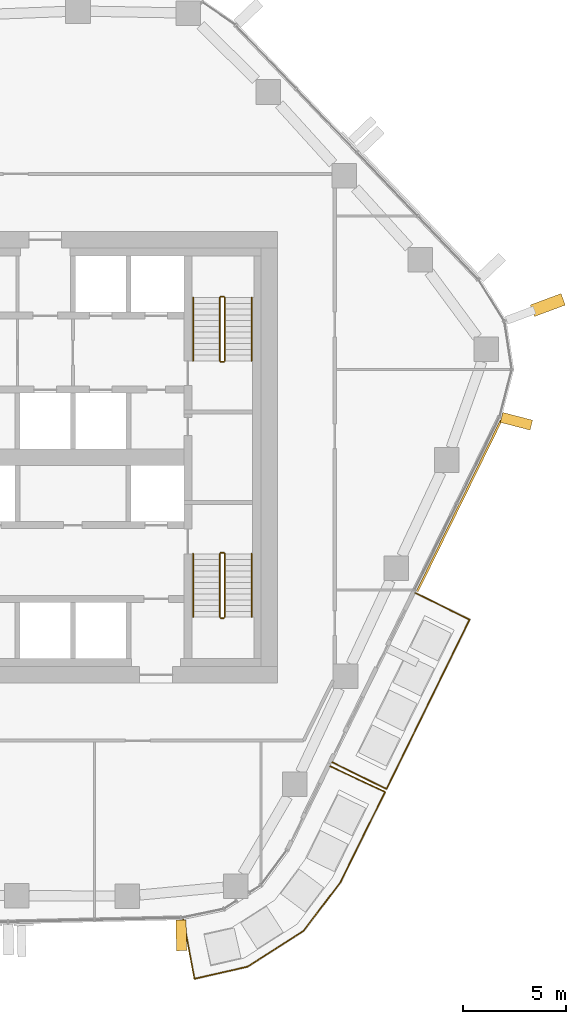
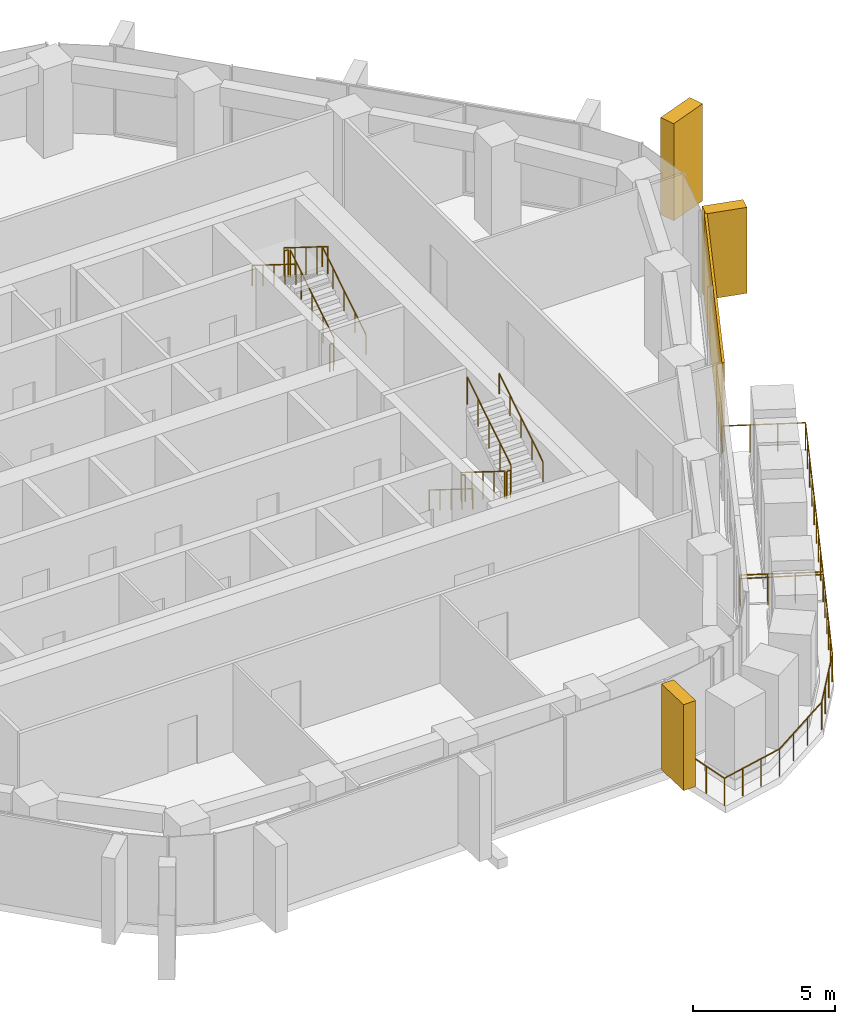
# One storey, part 16 of 17: 14 railings, 4 coverings, 3 elements without a shape of their own.
"""IFC4 building model written with IfcOpenShell, lengths in metres."""

from ifc_helpers import new_model, si_unit, direction, frame, origin, origin_2d, place, context, subcontext, project, spatial, rectangle, circle, extrude, material, layer, layer_set, material_profile, profile_set, type_object, element, aggregate, save


model = new_model("IFC4")

# Units and contexts
model_context = context("Model", 3, precision=1e-05, world=origin(), true_north=direction((0.0, 1.0)))
body_context = subcontext(model_context, "Body", "Model", "MODEL_VIEW")
ifc_project = project(units=[si_unit("LENGTHUNIT", "METRE"), si_unit("AREAUNIT", "SQUARE_METRE"), si_unit("VOLUMEUNIT", "CUBIC_METRE"), si_unit("PLANEANGLEUNIT", "RADIAN"), si_unit("MASSUNIT", "GRAM", prefix="KILO")], contexts=[model_context])

# Site, building, storey
site_placement = place(None, origin())
site = spatial("IfcSite", under=ifc_project, at=site_placement, CompositionType="ELEMENT")
building_placement = place(site_placement, origin())
building = spatial("IfcBuilding", under=site, at=building_placement, Name="Dongbaek Canopy Tower", CompositionType="ELEMENT")
storey_placement = place(building_placement, frame((0.0, 0.0, 211.39990234375)))
storey = spatial("IfcBuildingStorey", under=building, at=storey_placement, Name="L44", CompositionType="ELEMENT", Elevation=211.39990234375)

# Railings
ifc_material_1 = material(Name="Stainless steel", Category="steel")
railing_type_1 = type_object("IfcRailingType", Name="Balcony balustrade 1200", PredefinedType="BALUSTRADE", material=ifc_material_1)
railing_1_placement = place(storey_placement, frame((16.681640625, -14.85498046875, 0.0)))
element("IfcRailing", 1, at=railing_1_placement, inside=storey, type_object=railing_type_1, Name="Balcony guard L44 2", PredefinedType="BALUSTRADE", context=body_context, shape_type="SweptSolid", body=[
    extrude(circle(Radius=0.02392578125, at=origin_2d()), frame((0.0, 0.0, 1.17578125), z_axis=(0.897707620988, -0.440591678565, 0.0), x_axis=(0.440591678565, 0.897707620988, 0.0)), (0.0, 0.0, 1.0), 2.940185546875),
    extrude(circle(Radius=0.02392578125, at=origin_2d()), frame((2.639404296875, -1.29541015625, 1.17578125), z_axis=(0.440588294447, 0.897709281893, 0.0), x_axis=(-0.897709281893, 0.440588294447, 0.0)), (0.0, 0.0, 1.0), 9.18505859375),
    extrude(circle(Radius=0.02392578125, at=origin_2d()), frame((6.686279296875, 6.9501953125, 1.17578125), z_axis=(-0.8977404625, 0.440524757522, 0.0), x_axis=(-0.440524757522, -0.8977404625, 0.0)), (0.0, 0.0, 1.0), 2.93994140625),
    extrude(circle(Radius=0.02099609375, at=origin_2d()), origin(), (0.0, 0.0, 1.0), 1.15185546875),
    extrude(circle(Radius=0.02099609375, at=origin_2d()), frame((0.8798828125, -0.431884765625, 0.0)), (0.0, 0.0, 1.0), 1.15185546875),
    extrude(circle(Radius=0.02099609375, at=origin_2d()), frame((1.759521484375, -0.863525390625, 0.0)), (0.0, 0.0, 1.0), 1.15185546875),
    extrude(circle(Radius=0.02099609375, at=origin_2d()), frame((2.639404296875, -1.29541015625, 0.0)), (0.0, 0.0, 1.0), 1.15185546875),
    extrude(circle(Radius=0.02099609375, at=origin_2d()), frame((3.145263671875, -0.2646484375, 0.0)), (0.0, 0.0, 1.0), 1.15185546875),
    extrude(circle(Radius=0.02099609375, at=origin_2d()), frame((3.651123046875, 0.76611328125, 0.0)), (0.0, 0.0, 1.0), 1.15185546875),
    extrude(circle(Radius=0.02099609375, at=origin_2d()), frame((4.156982421875, 1.796630859375, 0.0)), (0.0, 0.0, 1.0), 1.15185546875),
    extrude(circle(Radius=0.02099609375, at=origin_2d()), frame((4.662841796875, 2.827392578125, 0.0)), (0.0, 0.0, 1.0), 1.15185546875),
    extrude(circle(Radius=0.02099609375, at=origin_2d()), frame((5.168701171875, 3.858154296875, 0.0)), (0.0, 0.0, 1.0), 1.15185546875),
    extrude(circle(Radius=0.02099609375, at=origin_2d()), frame((5.674560546875, 4.888671875, 0.0)), (0.0, 0.0, 1.0), 1.15185546875),
    extrude(circle(Radius=0.02099609375, at=origin_2d()), frame((6.180419921875, 5.91943359375, 0.0)), (0.0, 0.0, 1.0), 1.15185546875),
    extrude(circle(Radius=0.02099609375, at=origin_2d()), frame((6.686279296875, 6.9501953125, 0.0)), (0.0, 0.0, 1.0), 1.15185546875),
    extrude(circle(Radius=0.02099609375, at=origin_2d()), frame((5.806396484375, 7.3818359375, 0.0)), (0.0, 0.0, 1.0), 1.15185546875),
    extrude(circle(Radius=0.02099609375, at=origin_2d()), frame((4.9267578125, 7.813720703125, 0.0)), (0.0, 0.0, 1.0), 1.15185546875),
    extrude(circle(Radius=0.02099609375, at=origin_2d()), frame((4.046875, 8.245361328125, 0.0)), (0.0, 0.0, 1.0), 1.15185546875),
])
railing_2_placement = place(storey_placement, frame((9.426025390625, -22.50732421875, 0.0)))
element("IfcRailing", 2, at=railing_2_placement, inside=storey, type_object=railing_type_1, Name="Balcony guard L44 4", PredefinedType="BALUSTRADE", context=body_context, shape_type="SweptSolid", body=[
    extrude(circle(Radius=0.02392578125, at=origin_2d()), frame((0.0, 0.0, 1.17578125), z_axis=(0.18414316592, -0.982899432518, 0.0), x_axis=(0.982899432518, 0.18414316592, 0.0)), (0.0, 0.0, 1.0), 2.940673828125),
    extrude(circle(Radius=0.02392578125, at=origin_2d()), frame((0.54150390625, -2.890380859375, 1.17578125), z_axis=(0.97504504017, 0.222007138715, 0.0), x_axis=(-0.222007138715, 0.97504504017, 0.0)), (0.0, 0.0, 1.0), 2.6513671875),
    extrude(circle(Radius=0.02392578125, at=origin_2d()), frame((3.126708984375, -2.3017578125, 1.17578125), z_axis=(0.842315292962, 0.538985108553, 0.0), x_axis=(-0.538985108553, 0.842315292962, 0.0)), (0.0, 0.0, 1.0), 3.232421875),
    extrude(circle(Radius=0.02392578125, at=origin_2d()), frame((5.849365234375, -0.5595703125, 1.17578125), z_axis=(0.605408572728, 0.795914857298, 0.0), x_axis=(-0.795914857298, 0.605408572728, 0.0)), (0.0, 0.0, 1.0), 2.968017578125),
    extrude(circle(Radius=0.02392578125, at=origin_2d()), frame((7.646240234375, 1.802734375, 1.17578125), z_axis=(0.442801001232, 0.896619915743, 0.0), x_axis=(-0.896619915743, 0.442801001232, 0.0)), (0.0, 0.0, 1.0), 4.919189453125),
    extrude(circle(Radius=0.02392578125, at=origin_2d()), frame((9.824462890625, 6.21337890625, 1.17578125), z_axis=(-0.906517973739, 0.422167221949, 0.0), x_axis=(-0.422167221949, -0.906517973739, 0.0)), (0.0, 0.0, 1.0), 2.940673828125),
    extrude(circle(Radius=0.02099609375, at=origin_2d()), origin(), (0.0, 0.0, 1.0), 1.15185546875),
    extrude(circle(Radius=0.02099609375, at=origin_2d()), frame((0.180419921875, -0.96337890625, 0.0)), (0.0, 0.0, 1.0), 1.15185546875),
    extrude(circle(Radius=0.02099609375, at=origin_2d()), frame((0.361083984375, -1.927001953125, 0.0)), (0.0, 0.0, 1.0), 1.15185546875),
    extrude(circle(Radius=0.02099609375, at=origin_2d()), frame((0.54150390625, -2.890380859375, 0.0)), (0.0, 0.0, 1.0), 1.15185546875),
    extrude(circle(Radius=0.02099609375, at=origin_2d()), frame((1.4033203125, -2.694091796875, 0.0)), (0.0, 0.0, 1.0), 1.15185546875),
    extrude(circle(Radius=0.02099609375, at=origin_2d()), frame((2.264892578125, -2.498046875, 0.0)), (0.0, 0.0, 1.0), 1.15185546875),
    extrude(circle(Radius=0.02099609375, at=origin_2d()), frame((3.126708984375, -2.3017578125, 0.0)), (0.0, 0.0, 1.0), 1.15185546875),
    extrude(circle(Radius=0.02099609375, at=origin_2d()), frame((4.0341796875, -1.720947265625, 0.0)), (0.0, 0.0, 1.0), 1.15185546875),
    extrude(circle(Radius=0.02099609375, at=origin_2d()), frame((4.94189453125, -1.140380859375, 0.0)), (0.0, 0.0, 1.0), 1.15185546875),
    extrude(circle(Radius=0.02099609375, at=origin_2d()), frame((5.849365234375, -0.5595703125, 0.0)), (0.0, 0.0, 1.0), 1.15185546875),
    extrude(circle(Radius=0.02099609375, at=origin_2d()), frame((6.4482421875, 0.227783203125, 0.0)), (0.0, 0.0, 1.0), 1.15185546875),
    extrude(circle(Radius=0.02099609375, at=origin_2d()), frame((7.04736328125, 1.015380859375, 0.0)), (0.0, 0.0, 1.0), 1.15185546875),
    extrude(circle(Radius=0.02099609375, at=origin_2d()), frame((7.646240234375, 1.802734375, 0.0)), (0.0, 0.0, 1.0), 1.15185546875),
    extrude(circle(Radius=0.02099609375, at=origin_2d()), frame((8.081787109375, 2.684814453125, 0.0)), (0.0, 0.0, 1.0), 1.15185546875),
    extrude(circle(Radius=0.02099609375, at=origin_2d()), frame((8.517578125, 3.56689453125, 0.0)), (0.0, 0.0, 1.0), 1.15185546875),
    extrude(circle(Radius=0.02099609375, at=origin_2d()), frame((8.953125, 4.44921875, 0.0)), (0.0, 0.0, 1.0), 1.15185546875),
    extrude(circle(Radius=0.02099609375, at=origin_2d()), frame((9.388916015625, 5.331298828125, 0.0)), (0.0, 0.0, 1.0), 1.15185546875),
    extrude(circle(Radius=0.02099609375, at=origin_2d()), frame((9.824462890625, 6.21337890625, 0.0)), (0.0, 0.0, 1.0), 1.15185546875),
    extrude(circle(Radius=0.02099609375, at=origin_2d()), frame((8.935791015625, 6.627197265625, 0.0)), (0.0, 0.0, 1.0), 1.15185546875),
    extrude(circle(Radius=0.02099609375, at=origin_2d()), frame((8.04736328125, 7.041015625, 0.0)), (0.0, 0.0, 1.0), 1.15185546875),
    extrude(circle(Radius=0.02099609375, at=origin_2d()), frame((7.15869140625, 7.454833984375, 0.0)), (0.0, 0.0, 1.0), 1.15185546875),
])

# Curtain wall, covering
ifc_material_2 = material(Name="Aluminium 6063-T6 pale anodised", Category="aluminium")
ifc_layer_1 = layer(ifc_material_2, 0.199951171875)
ifc_layer_set_1 = layer_set([ifc_layer_1], Name="CW-1 unitised tower curtain wall")
curtain_wall_type = type_object("IfcCurtainWallType", Name="CW-1 unitised tower curtain wall", PredefinedType="NOTDEFINED", material=ifc_layer_set_1)
curtain_wall_1_placement = place(storey_placement, origin())
curtain_wall_1 = element("IfcCurtainWall", 3, at=curtain_wall_1_placement, inside=storey, type_object=curtain_wall_type, Name="CW-1 curtain wall K0.1", PredefinedType="NOTDEFINED")
ifc_material_3 = material(Name="Aluminium 6063-T6 pale metal fin", Category="aluminium")
ifc_material_profile_1 = material_profile(ifc_material_3, rectangle(XDim=1.60009765625, YDim=0.60009765625, at=origin_2d()), Name="Corner fin CN1 600 x 1600 pale metal")
ifc_profile_set_1 = profile_set([ifc_material_profile_1], Name="Aluminium 6063-T6 pale metal fin")
covering_type_1 = type_object("IfcCoveringType", Name="Corner fin CN1 600 x 1600 pale metal", PredefinedType="CLADDING", material=ifc_profile_set_1)
covering_1_placement = place(storey_placement, frame((27.17431640625, 7.414794921875, -0.18994140625), z_axis=(0.0, 0.0, 1.0), x_axis=(0.93736713373, 0.348343015724, 0.0)))
covering_1 = element("IfcCovering", 4, at=covering_1_placement, type_object=covering_type_1, Name="Corner fin L44 L44 K0", PredefinedType="CLADDING", context=body_context, shape_type="SweptSolid", body=[
    extrude(rectangle(XDim=1.60009765625, YDim=0.60009765625, at=origin_2d()), origin(), (0.0, 0.0, 1.0), 4.179931640625),
])

curtain_wall_2_placement = place(storey_placement, origin())
curtain_wall_2 = element("IfcCurtainWall", 5, at=curtain_wall_2_placement, inside=storey, type_object=curtain_wall_type, Name="CW-1 curtain wall F5.1", PredefinedType="NOTDEFINED")
ifc_material_4 = material(Name="Perforated aluminium 6063-T6 pale metal screen", Category="aluminium")
ifc_layer_2 = layer(ifc_material_4, 0.10009765625)
ifc_layer_set_2 = layer_set([ifc_layer_2], Name="Facet screen FS1 100 pale metal")
covering_type_2 = type_object("IfcCoveringType", Name="Facet screen FS1 100 pale metal", PredefinedType="CLADDING", material=ifc_layer_set_2)
covering_2_placement = place(storey_placement, frame((22.86181640625, -2.367431640625, 0.0), z_axis=(0.0, 0.0, 1.0), x_axis=(0.440595773401, 0.897705611245, 0.0)))
covering_2 = element("IfcCovering", 6, at=covering_2_placement, type_object=covering_type_2, Name="Facet screen L44 F5", PredefinedType="CLADDING", context=body_context, shape_type="SweptSolid", body=[
    extrude(rectangle(XDim=9.276123046875, YDim=0.10009765625, at=origin_2d()), origin(), (0.0, 0.0, 1.0), 3.820068359375),
])
aggregate(curtain_wall_2, [covering_2])

# Covering
ifc_material_5 = material(Name="Aluminium 6063-T6 pale metal fin", Category="aluminium")
ifc_material_profile_2 = material_profile(ifc_material_5, rectangle(XDim=1.5, YDim=0.5, at=origin_2d()), Name="Fin FN1 500 x 1500 pale metal")
ifc_profile_set_2 = profile_set([ifc_material_profile_2], Name="Aluminium 6063-T6 pale metal fin")
covering_type_3 = type_object("IfcCoveringType", Name="Fin FN1 500 x 1500 pale metal", PredefinedType="CLADDING", material=ifc_profile_set_2)
covering_3_placement = place(storey_placement, frame((25.6494140625, 1.754150390625, 0.1201171875), z_axis=(0.0, 0.0, 1.0), x_axis=(0.968104360691, -0.25054729456, 0.0)))
covering_3 = element("IfcCovering", 7, at=covering_3_placement, type_object=covering_type_3, Name="Fin K0.1.1", PredefinedType="CLADDING", context=body_context, shape_type="SweptSolid", body=[
    extrude(rectangle(XDim=1.5, YDim=0.5, at=origin_2d()), origin(), (0.0, 0.0, 1.0), 3.699951171875),
])

aggregate(curtain_wall_1, [covering_3, covering_1])

# Curtain wall, covering
curtain_wall_3_placement = place(storey_placement, origin())
curtain_wall_3 = element("IfcCurtainWall", 8, at=curtain_wall_3_placement, inside=storey, type_object=curtain_wall_type, Name="CW-1 curtain wall F4.1", PredefinedType="NOTDEFINED")
covering_4_placement = place(storey_placement, frame((9.326904296875, -23.27978515625, 0.1201171875), z_axis=(0.0, 0.0, 1.0), x_axis=(0.023848776152, -0.99971557749, 0.0)))
covering_4 = element("IfcCovering", 9, at=covering_4_placement, type_object=covering_type_3, Name="Fin F4.1.5", PredefinedType="CLADDING", context=body_context, shape_type="SweptSolid", body=[
    extrude(rectangle(XDim=1.5, YDim=0.5, at=origin_2d()), origin(), (0.0, 0.0, 1.0), 3.699951171875),
])
aggregate(curtain_wall_3, [covering_4])

# Railings
ifc_material_6 = material(Name="Stainless steel tube and balusters", Category="steel")
railing_type_2 = type_object("IfcRailingType", Name="Stair guard 1200", PredefinedType="GUARDRAIL", material=ifc_material_6)
railing_3_placement = place(storey_placement, frame((11.449951171875, 4.699951171875, 0.175048828125)))
element("IfcRailing", 10, at=railing_3_placement, inside=storey, type_object=railing_type_2, Name="L44 ST-A stair guard 1", PredefinedType="GUARDRAIL", context=body_context, shape_type="SweptSolid", body=[
    extrude(circle(Radius=0.02392578125, at=origin_2d()), frame((0.0, 0.0, 1.17578125), z_axis=(0.0, 0.847998304005, 0.529998940003), x_axis=(-1.0, 0.0, 0.0)), (0.0, 0.0, 1.0), 3.632080078125),
    extrude(circle(Radius=0.02099609375, at=origin_2d()), origin(), (0.0, 0.0, 1.0), 1.15185546875),
    extrude(circle(Radius=0.02099609375, at=origin_2d()), frame((0.0, 0.77001953125, 0.481201171875)), (0.0, 0.0, 1.0), 1.15185546875),
    extrude(circle(Radius=0.02099609375, at=origin_2d()), frame((0.0, 1.5400390625, 0.96240234375)), (0.0, 0.0, 1.0), 1.15185546875),
    extrude(circle(Radius=0.02099609375, at=origin_2d()), frame((0.0, 2.31005859375, 1.44384765625)), (0.0, 0.0, 1.0), 1.15185546875),
    extrude(circle(Radius=0.02099609375, at=origin_2d()), frame((0.0, 3.080078125, 1.925048828125)), (0.0, 0.0, 1.0), 1.15185546875),
])
railing_4_placement = place(storey_placement, frame((11.39990234375, 7.830078125, 2.10009765625)))
element("IfcRailing", 11, at=railing_4_placement, inside=storey, type_object=railing_type_2, Name="L44 ST-A stair guard 2", PredefinedType="GUARDRAIL", context=body_context, shape_type="SweptSolid", body=[
    extrude(circle(Radius=0.02392578125, at=origin_2d()), frame((0.0, 0.0, 1.17578125), z_axis=(-1.0, 0.0, 0.0), x_axis=(0.0, -1.0, 0.0)), (0.0, 0.0, 1.0), 0.14990234375),
    extrude(circle(Radius=0.02099609375, at=origin_2d()), origin(), (0.0, 0.0, 1.0), 1.15185546875),
    extrude(circle(Radius=0.02099609375, at=origin_2d()), frame((-0.14990234375, 0.0, 0.0)), (0.0, 0.0, 1.0), 1.15185546875),
])
railing_5_placement = place(storey_placement, frame((11.199951171875, 7.780029296875, 2.275146484375)))
element("IfcRailing", 12, at=railing_5_placement, inside=storey, type_object=railing_type_2, Name="L44 ST-A stair guard 3", PredefinedType="GUARDRAIL", context=body_context, shape_type="SweptSolid", body=[
    extrude(circle(Radius=0.02392578125, at=origin_2d()), frame((0.0, 0.0, 1.17578125), z_axis=(0.0, -0.847998304005, 0.529998940003), x_axis=(1.0, 0.0, 0.0)), (0.0, 0.0, 1.0), 3.632080078125),
    extrude(circle(Radius=0.02099609375, at=origin_2d()), origin(), (0.0, 0.0, 1.0), 1.15185546875),
    extrude(circle(Radius=0.02099609375, at=origin_2d()), frame((0.0, -0.77001953125, 0.481201171875)), (0.0, 0.0, 1.0), 1.15185546875),
    extrude(circle(Radius=0.02099609375, at=origin_2d()), frame((0.0, -1.5400390625, 0.96240234375)), (0.0, 0.0, 1.0), 1.15185546875),
    extrude(circle(Radius=0.02099609375, at=origin_2d()), frame((0.0, -2.31005859375, 1.44384765625)), (0.0, 0.0, 1.0), 1.15185546875),
    extrude(circle(Radius=0.02099609375, at=origin_2d()), frame((0.0, -3.080078125, 1.925048828125)), (0.0, 0.0, 1.0), 1.15185546875),
])
railing_6_placement = place(storey_placement, frame((11.39990234375, 4.64990234375, 0.0)))
element("IfcRailing", 13, at=railing_6_placement, inside=storey, type_object=railing_type_2, Name="L44 ST-A stair guard 4", PredefinedType="GUARDRAIL", context=body_context, shape_type="SweptSolid", body=[
    extrude(circle(Radius=0.02392578125, at=origin_2d()), frame((0.0, 0.0, 1.17578125), z_axis=(-1.0, 0.0, 0.0), x_axis=(0.0, -1.0, 0.0)), (0.0, 0.0, 1.0), 0.14990234375),
    extrude(circle(Radius=0.02099609375, at=origin_2d()), origin(), (0.0, 0.0, 1.0), 1.15185546875),
    extrude(circle(Radius=0.02099609375, at=origin_2d()), frame((-0.14990234375, 0.0, 0.0)), (0.0, 0.0, 1.0), 1.15185546875),
])
railing_7_placement = place(storey_placement, frame((11.199951171875, -4.699951171875, 0.175048828125)))
element("IfcRailing", 14, at=railing_7_placement, inside=storey, type_object=railing_type_2, Name="L44 ST-B stair guard 1", PredefinedType="GUARDRAIL", context=body_context, shape_type="SweptSolid", body=[
    extrude(circle(Radius=0.02392578125, at=origin_2d()), frame((0.0, 0.0, 1.17578125), z_axis=(0.0, -0.847998304005, 0.529998940003), x_axis=(1.0, 0.0, 0.0)), (0.0, 0.0, 1.0), 3.632080078125),
    extrude(circle(Radius=0.02099609375, at=origin_2d()), origin(), (0.0, 0.0, 1.0), 1.15185546875),
    extrude(circle(Radius=0.02099609375, at=origin_2d()), frame((0.0, -0.77001953125, 0.481201171875)), (0.0, 0.0, 1.0), 1.15185546875),
    extrude(circle(Radius=0.02099609375, at=origin_2d()), frame((0.0, -1.5400390625, 0.96240234375)), (0.0, 0.0, 1.0), 1.15185546875),
    extrude(circle(Radius=0.02099609375, at=origin_2d()), frame((0.0, -2.31005859375, 1.44384765625)), (0.0, 0.0, 1.0), 1.15185546875),
    extrude(circle(Radius=0.02099609375, at=origin_2d()), frame((0.0, -3.080078125, 1.925048828125)), (0.0, 0.0, 1.0), 1.15185546875),
])
railing_8_placement = place(storey_placement, frame((11.25, -7.830078125, 2.10009765625)))
element("IfcRailing", 15, at=railing_8_placement, inside=storey, type_object=railing_type_2, Name="L44 ST-B stair guard 2", PredefinedType="GUARDRAIL", context=body_context, shape_type="SweptSolid", body=[
    extrude(circle(Radius=0.02392578125, at=origin_2d()), frame((0.0, 0.0, 1.17578125), z_axis=(1.0, 0.0, 0.0), x_axis=(0.0, 1.0, 0.0)), (0.0, 0.0, 1.0), 0.14990234375),
    extrude(circle(Radius=0.02099609375, at=origin_2d()), origin(), (0.0, 0.0, 1.0), 1.15185546875),
    extrude(circle(Radius=0.02099609375, at=origin_2d()), frame((0.14990234375, 0.0, 0.0)), (0.0, 0.0, 1.0), 1.15185546875),
])
railing_9_placement = place(storey_placement, frame((11.449951171875, -7.780029296875, 2.275146484375)))
element("IfcRailing", 16, at=railing_9_placement, inside=storey, type_object=railing_type_2, Name="L44 ST-B stair guard 3", PredefinedType="GUARDRAIL", context=body_context, shape_type="SweptSolid", body=[
    extrude(circle(Radius=0.02392578125, at=origin_2d()), frame((0.0, 0.0, 1.17578125), z_axis=(0.0, 0.847998304005, 0.529998940003), x_axis=(-1.0, 0.0, 0.0)), (0.0, 0.0, 1.0), 3.632080078125),
    extrude(circle(Radius=0.02099609375, at=origin_2d()), origin(), (0.0, 0.0, 1.0), 1.15185546875),
    extrude(circle(Radius=0.02099609375, at=origin_2d()), frame((0.0, 0.77001953125, 0.481201171875)), (0.0, 0.0, 1.0), 1.15185546875),
    extrude(circle(Radius=0.02099609375, at=origin_2d()), frame((0.0, 1.5400390625, 0.96240234375)), (0.0, 0.0, 1.0), 1.15185546875),
    extrude(circle(Radius=0.02099609375, at=origin_2d()), frame((0.0, 2.31005859375, 1.44384765625)), (0.0, 0.0, 1.0), 1.15185546875),
    extrude(circle(Radius=0.02099609375, at=origin_2d()), frame((0.0, 3.080078125, 1.925048828125)), (0.0, 0.0, 1.0), 1.15185546875),
])
railing_10_placement = place(storey_placement, frame((11.25, -4.64990234375, 0.0)))
element("IfcRailing", 17, at=railing_10_placement, inside=storey, type_object=railing_type_2, Name="L44 ST-B stair guard 4", PredefinedType="GUARDRAIL", context=body_context, shape_type="SweptSolid", body=[
    extrude(circle(Radius=0.02392578125, at=origin_2d()), frame((0.0, 0.0, 1.17578125), z_axis=(1.0, 0.0, 0.0), x_axis=(0.0, 1.0, 0.0)), (0.0, 0.0, 1.0), 0.14990234375),
    extrude(circle(Radius=0.02099609375, at=origin_2d()), origin(), (0.0, 0.0, 1.0), 1.15185546875),
    extrude(circle(Radius=0.02099609375, at=origin_2d()), frame((0.14990234375, 0.0, 0.0)), (0.0, 0.0, 1.0), 1.15185546875),
])
ifc_material_7 = material(Name="Stainless steel tube", Category="steel")
railing_type_3 = type_object("IfcRailingType", Name="Stair handrail 900", PredefinedType="HANDRAIL", material=ifc_material_7)
railing_11_placement = place(storey_placement, frame((12.75, 4.699951171875, 0.175048828125)))
element("IfcRailing", 18, at=railing_11_placement, inside=storey, type_object=railing_type_3, Name="L44 ST-A stair handrail 1", PredefinedType="HANDRAIL", context=body_context, shape_type="SweptSolid", body=[
    extrude(circle(Radius=0.02392578125, at=origin_2d()), frame((0.0, 0.0, 0.8759765625), z_axis=(0.0, 0.847998304005, 0.529998940003), x_axis=(-1.0, 0.0, 0.0)), (0.0, 0.0, 1.0), 3.632080078125),
    extrude(circle(Radius=0.02099609375, at=origin_2d()), origin(), (0.0, 0.0, 1.0), 0.851806640625),
    extrude(circle(Radius=0.02099609375, at=origin_2d()), frame((0.0, 0.77001953125, 0.481201171875)), (0.0, 0.0, 1.0), 0.851806640625),
    extrude(circle(Radius=0.02099609375, at=origin_2d()), frame((0.0, 1.5400390625, 0.96240234375)), (0.0, 0.0, 1.0), 0.851806640625),
    extrude(circle(Radius=0.02099609375, at=origin_2d()), frame((0.0, 2.31005859375, 1.44384765625)), (0.0, 0.0, 1.0), 0.851806640625),
    extrude(circle(Radius=0.02099609375, at=origin_2d()), frame((0.0, 3.080078125, 1.925048828125)), (0.0, 0.0, 1.0), 0.851806640625),
])
for number, where, name in (
    (19, (9.89990234375, 7.780029296875, 2.275146484375), "L44 ST-A stair handrail 2"),
    (20, (9.89990234375, -4.699951171875, 0.175048828125), "L44 ST-B stair handrail 1"),
):
    element("IfcRailing", number, at=place(storey_placement, frame(where)), inside=storey, type_object=railing_type_3, Name=name, PredefinedType="HANDRAIL", context=body_context, shape_type="SweptSolid", body=[
        extrude(circle(Radius=0.02392578125, at=origin_2d()), frame((0.0, 0.0, 0.8759765625), z_axis=(0.0, -0.847998304005, 0.529998940003), x_axis=(1.0, 0.0, 0.0)), (0.0, 0.0, 1.0), 3.632080078125),
        extrude(circle(Radius=0.02099609375, at=origin_2d()), origin(), (0.0, 0.0, 1.0), 0.851806640625),
        extrude(circle(Radius=0.02099609375, at=origin_2d()), frame((0.0, -0.77001953125, 0.481201171875)), (0.0, 0.0, 1.0), 0.851806640625),
        extrude(circle(Radius=0.02099609375, at=origin_2d()), frame((0.0, -1.5400390625, 0.96240234375)), (0.0, 0.0, 1.0), 0.851806640625),
        extrude(circle(Radius=0.02099609375, at=origin_2d()), frame((0.0, -2.31005859375, 1.44384765625)), (0.0, 0.0, 1.0), 0.851806640625),
        extrude(circle(Radius=0.02099609375, at=origin_2d()), frame((0.0, -3.080078125, 1.925048828125)), (0.0, 0.0, 1.0), 0.851806640625),
    ])
railing_12_placement = place(storey_placement, frame((12.75, -7.780029296875, 2.275146484375)))
element("IfcRailing", 21, at=railing_12_placement, inside=storey, type_object=railing_type_3, Name="L44 ST-B stair handrail 2", PredefinedType="HANDRAIL", context=body_context, shape_type="SweptSolid", body=[
    extrude(circle(Radius=0.02392578125, at=origin_2d()), frame((0.0, 0.0, 0.8759765625), z_axis=(0.0, 0.847998304005, 0.529998940003), x_axis=(-1.0, 0.0, 0.0)), (0.0, 0.0, 1.0), 3.632080078125),
    extrude(circle(Radius=0.02099609375, at=origin_2d()), origin(), (0.0, 0.0, 1.0), 0.851806640625),
    extrude(circle(Radius=0.02099609375, at=origin_2d()), frame((0.0, 0.77001953125, 0.481201171875)), (0.0, 0.0, 1.0), 0.851806640625),
    extrude(circle(Radius=0.02099609375, at=origin_2d()), frame((0.0, 1.5400390625, 0.96240234375)), (0.0, 0.0, 1.0), 0.851806640625),
    extrude(circle(Radius=0.02099609375, at=origin_2d()), frame((0.0, 2.31005859375, 1.44384765625)), (0.0, 0.0, 1.0), 0.851806640625),
    extrude(circle(Radius=0.02099609375, at=origin_2d()), frame((0.0, 3.080078125, 1.925048828125)), (0.0, 0.0, 1.0), 0.851806640625),
])

save(model, "model.ifc")
